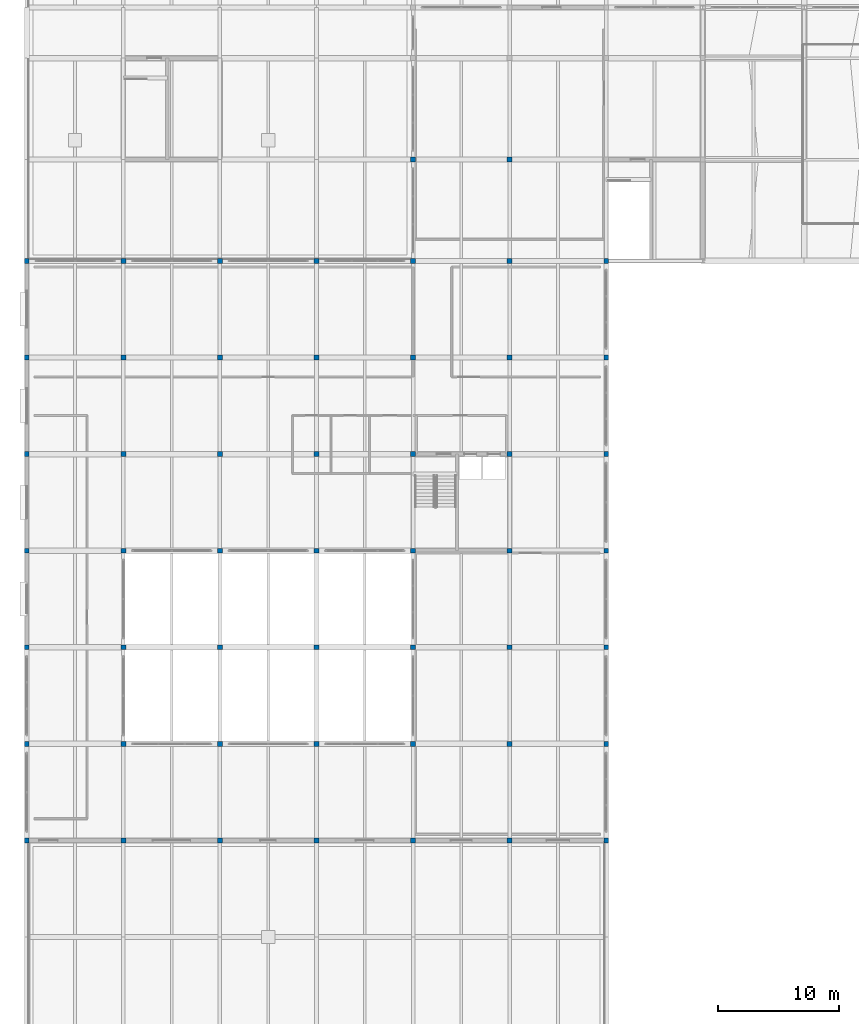
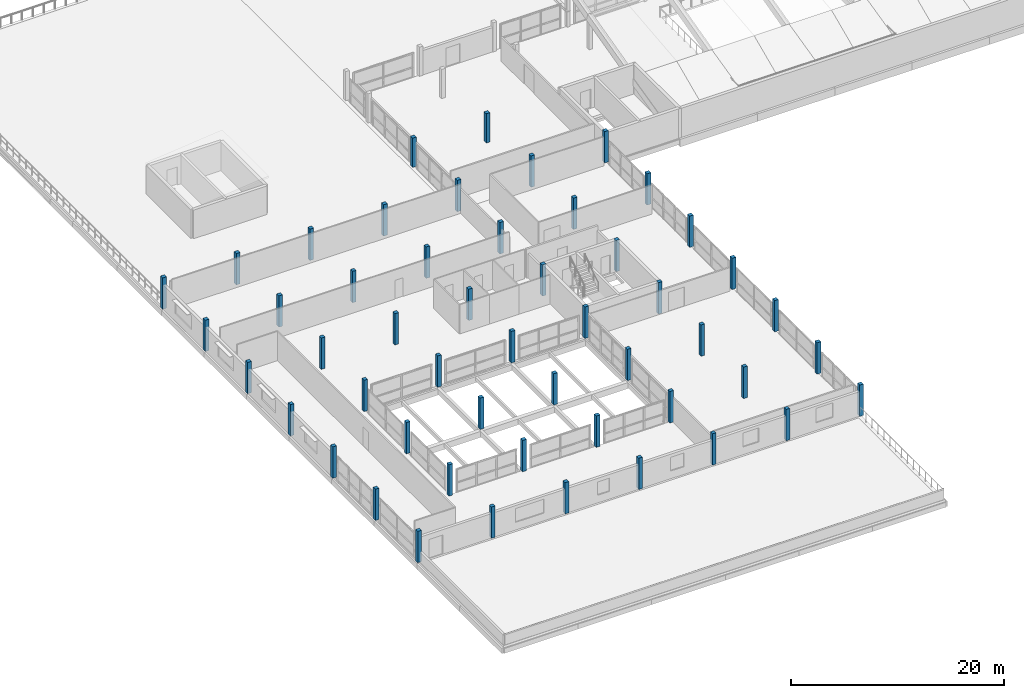
# One storey, part 1 of 51: 51 columns.
"""IFC4 building model written with IfcOpenShell, lengths in metres."""

import ifcopenshell
import ifcopenshell.guid

model = None  # the IFC model being written
_history = None  # IfcOwnerHistory: only IFC2X3 demands one
_inside = {}  # id of a spatial element -> (the spatial element, [elements in it])
_under = {}  # id of a project, library or spatial element -> (it, [spatial elements below it])
_declared = {}  # id of a project -> (the project, [libraries it declares])
_typed = {}  # id of a type object -> (the type object, [elements of that type])
_made_of = {}  # id of a material, layer set ... -> (it, [elements and type objects made of it])


def new_model(schema):
    """Start an empty IFC model of exactly this schema.

    Asked for "IFC4X3", IfcOpenShell would pick the latest addendum, in which some entities
    have other attributes; the version numbers below select the first issue.
    IFC2X3 requires an IfcOwnerHistory on every rooted entity: one is made here for all.
    """
    global model, _history
    if schema == "IFC4X3":
        model = ifcopenshell.file(schema_version=(4, 3, 0, 0))
    else:
        model = ifcopenshell.file(schema=schema)
    _inside.clear()
    _under.clear()
    _declared.clear()
    _typed.clear()
    _made_of.clear()
    _history = None
    if model.schema == "IFC2X3":
        org = make("IfcOrganization", Name="unknown")
        user = make(
            "IfcPersonAndOrganization",
            ThePerson=make("IfcPerson", FamilyName="unknown"),
            TheOrganization=org,
        )
        app = make(
            "IfcApplication",
            ApplicationDeveloper=org,
            Version="unknown",
            ApplicationFullName="unknown",
            ApplicationIdentifier="unknown",
        )
        _history = make(
            "IfcOwnerHistory",
            OwningUser=user,
            OwningApplication=app,
            ChangeAction="ADDED",
            CreationDate=0,
        )
    return model


def make(cls, **values):
    """One entity of the class cls with the attributes given. An attribute that is None is left unset."""
    return model.create_entity(
        cls, **{name: value for name, value in values.items() if value is not None}
    )


def rooted(cls, **values):
    """An entity with a GlobalId (a new one), such as an element, a storey or a relation."""
    return make(cls, GlobalId=ifcopenshell.guid.new(), OwnerHistory=_history, **values)


def si_unit(unit_type, name, prefix=None):
    """IfcSIUnit, for example si_unit("LENGTHUNIT", "METRE", prefix="MILLI")."""
    return make("IfcSIUnit", UnitType=unit_type, Prefix=prefix, Name=name)


def assignment(units):
    """IfcUnitAssignment: the units of a project."""
    return None if units is None else make("IfcUnitAssignment", Units=units)


def point(xyz):
    """IfcCartesianPoint."""
    return None if xyz is None else make("IfcCartesianPoint", Coordinates=xyz)


def direction(xyz):
    """IfcDirection."""
    return None if xyz is None else make("IfcDirection", DirectionRatios=xyz)


def frame(location, z_axis=None, x_axis=None):
    """IfcAxis2Placement3D, a coordinate frame: its origin and axes. An axis left out is left unset."""
    return make(
        "IfcAxis2Placement3D",
        Location=point(location),
        Axis=direction(z_axis),
        RefDirection=direction(x_axis),
    )


def frame_2d(location, x_axis=None):
    """IfcAxis2Placement2D, a coordinate frame in the plane: its origin and x axis."""
    return make(
        "IfcAxis2Placement2D", Location=point(location), RefDirection=direction(x_axis)
    )


def origin():
    """The frame at (0, 0, 0) with its axes left unset."""
    return frame((0.0, 0.0, 0.0))


def origin_2d():
    """The frame at (0, 0) in the plane with its x axis left unset."""
    return frame_2d((0.0, 0.0))


def place(relative_to, where):
    """IfcLocalPlacement: puts the frame where relative to a parent placement (None: the world)."""
    return make(
        "IfcLocalPlacement", PlacementRelTo=relative_to, RelativePlacement=where
    )


def context(
    kind, dimensions, precision=None, world=None, true_north=None, identifier=None
):
    """IfcGeometricRepresentationContext, for example the 3D "Model" context."""
    return make(
        "IfcGeometricRepresentationContext",
        ContextIdentifier=identifier,
        ContextType=kind,
        CoordinateSpaceDimension=dimensions,
        Precision=precision,
        WorldCoordinateSystem=world,
        TrueNorth=true_north,
    )


def subcontext(parent, identifier, kind, view, scale=None):
    """IfcGeometricRepresentationSubContext, for example "Body" below "Model"."""
    return make(
        "IfcGeometricRepresentationSubContext",
        ContextIdentifier=identifier,
        ContextType=kind,
        ParentContext=parent,
        TargetScale=scale,
        TargetView=view,
    )


def project(units=None, contexts=None):
    """IfcProject with its units and contexts."""
    return rooted(
        "IfcProject",
        Name="project",
        RepresentationContexts=contexts,
        UnitsInContext=assignment(units),
    )


def spatial(cls, under=None, at=None, **own):
    """A site, building, storey or space (cls), placed at a placement, below another one or the project."""
    s = rooted(cls, ObjectPlacement=at, **own)
    if under is not None:
        _under.setdefault(under.id(), (under, []))[1].append(s)
    return s


def profile(cls, at=None, kind="AREA", **sizes):
    """A parametric profile (cls). Its sizes go by their IFC names, for example OverallWidth=200.0."""
    return make(cls, ProfileType=kind, Position=at, **sizes)


def rectangle(**sizes):
    """IfcRectangleProfileDef."""
    return profile("IfcRectangleProfileDef", **sizes)


def extrude(swept, where, along, depth):
    """IfcExtrudedAreaSolid: the profile swept, set in the frame where, extruded along a direction by depth."""
    return make(
        "IfcExtrudedAreaSolid",
        SweptArea=swept,
        Position=where,
        ExtrudedDirection=direction(along),
        Depth=depth,
    )


def shape(context_of_items, identifier, shape_type, items):
    """IfcShapeRepresentation: the items that make up one representation, for example the "Body"."""
    return make(
        "IfcShapeRepresentation",
        ContextOfItems=context_of_items,
        RepresentationIdentifier=identifier,
        RepresentationType=shape_type,
        Items=items,
    )


def material(Name=None, Category=None):
    """IfcMaterial."""
    return make("IfcMaterial", Name=Name, Category=Category)


def material_profile(
    of_material, cross_section, Name=None, Category=None, Priority=None
):
    """IfcMaterialProfile: a cross section and its material."""
    return make(
        "IfcMaterialProfile",
        Name=Name,
        Material=of_material,
        Profile=cross_section,
        Priority=Priority,
        Category=Category,
    )


def profile_set(profiles, Name=None, composite=None):
    """IfcMaterialProfileSet."""
    return make(
        "IfcMaterialProfileSet",
        Name=Name,
        MaterialProfiles=profiles,
        CompositeProfile=composite,
    )


def made_of(thing, what):
    """Note that an element or type object is made of a material, layer set ...; save() writes the relation."""
    if what is not None:
        _made_of.setdefault(what.id(), (what, []))[1].append(thing)
    return thing


def type_object(cls, material=None, **own):
    """A type object (cls), such as IfcWallType, which elements share."""
    return made_of(rooted(cls, **own), material)


def element(
    cls,
    number,
    at=None,
    inside=None,
    cuts=None,
    type_object=None,
    material=None,
    context=None,
    identifier="Body",
    shape_type=None,
    held_by="IfcProductDefinitionShape",
    body=None,
    shapes=None,
    **own,
):
    """One element of the class cls, such as IfcWall. Its Tag is "e" and its number.

    at: its placement. inside: the storey or other place that contains it. cuts: it is an
    opening in that element (IfcRelVoidsElement). A single representation is given by context,
    identifier, shape_type and body (its items); several are given by shapes. held_by: the class
    of the entity that holds the representations. save() writes the other relations.
    """
    e = rooted(cls, Tag="e%d" % number, ObjectPlacement=at, **own)
    if body is not None:
        shapes = [shape(context, identifier, shape_type, body)]
    if shapes is not None:
        e.Representation = make(held_by, Representations=shapes)
    if inside is not None:
        _inside.setdefault(inside.id(), (inside, []))[1].append(e)
    if cuts is not None:
        rooted(
            "IfcRelVoidsElement", RelatingBuildingElement=cuts, RelatedOpeningElement=e
        )
    if type_object is not None:
        _typed.setdefault(type_object.id(), (type_object, []))[1].append(e)
    return made_of(e, material)


def aggregate(whole, parts):
    """IfcRelAggregates: a whole, such as a stair, and the parts it consists of."""
    return rooted("IfcRelAggregates", RelatingObject=whole, RelatedObjects=parts)


def save(model, path):
    """Write the relations noted so far, then the file.

    IfcRelAggregates (storeys below a building ...), IfcRelContainedInSpatialStructure (elements
    in a storey), IfcRelDefinesByType, IfcRelAssociatesMaterial and IfcRelDeclares: one each for
    every whole, place, type object, material and project.
    """
    for whole, parts in _under.values():
        aggregate(whole, parts)
    for where, things in _inside.values():
        rooted(
            "IfcRelContainedInSpatialStructure",
            RelatedElements=things,
            RelatingStructure=where,
        )
    for kind, things in _typed.values():
        rooted("IfcRelDefinesByType", RelatedObjects=things, RelatingType=kind)
    for what, things in _made_of.values():
        rooted("IfcRelAssociatesMaterial", RelatedObjects=things, RelatingMaterial=what)
    for by, libraries in _declared.values():
        rooted("IfcRelDeclares", RelatingContext=by, RelatedDefinitions=libraries)
    model.write(path)


model = new_model("IFC4")

# Units and contexts
model_context = context("Model", 3, precision=1e-05, world=origin(), true_north=direction((0.0, 1.0)))
body_context = subcontext(model_context, "Body", "Model", "MODEL_VIEW")
ifc_project = project(units=[si_unit("LENGTHUNIT", "METRE"), si_unit("AREAUNIT", "SQUARE_METRE"), si_unit("VOLUMEUNIT", "CUBIC_METRE"), si_unit("PLANEANGLEUNIT", "RADIAN"), si_unit("MASSUNIT", "GRAM", prefix="KILO")], contexts=[model_context])

# Site, building, storey
site_placement = place(None, origin())
site = spatial("IfcSite", under=ifc_project, at=site_placement, CompositionType="ELEMENT")
building_placement = place(site_placement, origin())
building = spatial("IfcBuilding", under=site, at=building_placement, Name="Vharandega Faculty of Natural Sciences", CompositionType="ELEMENT")
storey_placement = place(building_placement, frame((0.0, 0.0, 18.0)))
storey = spatial("IfcBuildingStorey", under=building, at=storey_placement, Name="L04", CompositionType="ELEMENT", Elevation=18.0)

# Columns
ifc_material = material(Name="Glulam GL32h", Category="wood")
ifc_material_profile = material_profile(ifc_material, rectangle(XDim=0.39990234375, YDim=0.39990234375, at=origin_2d()), Name="GL32h 400x400")
ifc_profile_set = profile_set([ifc_material_profile], Name="Glulam GL32h")
column_type = type_object("IfcColumnType", Name="Glulam Column 400x400", PredefinedType="COLUMN", material=ifc_profile_set)
for number, where, z_axis, x_axis, name in (
    (1, (0.0, 16.0, 0.0), (0.0, 0.0, 1.0), (1.0, 0.0, 0.0), "Column 1/C L04"),
    (2, (0.0, 24.0, 0.0), (0.0, 0.0, 1.0), (1.0, 0.0, 0.0), "Column 1/D L04"),
    (3, (0.0, 32.0, 0.0), (0.0, 0.0, 1.0), (1.0, 0.0, 0.0), "Column 1/E L04"),
    (4, (0.0, 40.0, 0.0), (0.0, 0.0, 1.0), (1.0, 0.0, 0.0), "Column 1/F L04"),
    (5, (0.0, 48.0, 0.0), (0.0, 0.0, 1.0), (1.0, 0.0, 0.0), "Column 1/G L04"),
    (6, (0.0, 56.0, 0.0), (0.0, 0.0, 1.0), (1.0, 0.0, 0.0), "Column 1/H L04"),
    (7, (0.0, 64.0, 0.0), (0.0, 0.0, 1.0), (1.0, 0.0, 0.0), "Column 1/J L04"),
    (8, (8.0, 16.0, 0.0), (0.0, 0.0, 1.0), (1.0, 0.0, 0.0), "Column 2/C L04"),
    (9, (8.0, 24.0, 0.0), (0.0, 0.0, 1.0), (1.0, 0.0, 0.0), "Column 2/D L04"),
    (10, (8.0, 32.0, 0.0), (0.0, 0.0, 1.0), (1.0, 0.0, 0.0), "Column 2/E L04"),
    (11, (8.0, 40.0, 0.0), (0.0, 0.0, 1.0), (1.0, 0.0, 0.0), "Column 2/F L04"),
    (12, (8.0, 48.0, 0.0), (0.0, 0.0, 1.0), (1.0, 0.0, 0.0), "Column 2/G L04"),
    (13, (8.0, 56.0, 0.0), (0.0, 0.0, 1.0), (1.0, 0.0, 0.0), "Column 2/H L04"),
    (14, (8.0, 64.0, 0.0), (0.0, 0.0, 1.0), (1.0, 0.0, 0.0), "Column 2/J L04"),
    (15, (16.0, 16.0, 0.0), (0.0, 0.0, 1.0), (1.0, 0.0, 0.0), "Column 3/C L04"),
    (16, (16.0, 24.0, 0.0), (0.0, 0.0, 1.0), (1.0, 0.0, 0.0), "Column 3/D L04"),
    (17, (16.0, 32.0, 0.0), (0.0, 0.0, 1.0), (1.0, 0.0, 0.0), "Column 3/E L04"),
    (18, (16.0, 40.0, 0.0), (0.0, 0.0, 1.0), (1.0, 0.0, 0.0), "Column 3/F L04"),
    (19, (16.0, 48.0, 0.0), (0.0, 0.0, 1.0), (1.0, 0.0, 0.0), "Column 3/G L04"),
    (20, (16.0, 56.0, 0.0), (0.0, 0.0, 1.0), (1.0, 0.0, 0.0), "Column 3/H L04"),
    (21, (16.0, 64.0, 0.0), (0.0, 0.0, 1.0), (1.0, 0.0, 0.0), "Column 3/J L04"),
    (22, (24.0, 16.0, 0.0), (0.0, 0.0, 1.0), (1.0, 0.0, 0.0), "Column 4/C L04"),
    (23, (24.0, 24.0, 0.0), (0.0, 0.0, 1.0), (1.0, 0.0, 0.0), "Column 4/D L04"),
    (24, (24.0, 32.0, 0.0), (0.0, 0.0, 1.0), (1.0, 0.0, 0.0), "Column 4/E L04"),
    (25, (24.0, 40.0, 0.0), (0.0, 0.0, 1.0), (1.0, 0.0, 0.0), "Column 4/F L04"),
    (26, (24.0, 48.0, 0.0), (0.0, 0.0, 1.0), (1.0, 0.0, 0.0), "Column 4/G L04"),
    (27, (24.0, 56.0, 0.0), (0.0, 0.0, 1.0), (1.0, 0.0, 0.0), "Column 4/H L04"),
    (28, (24.0, 64.0, 0.0), (0.0, 0.0, 1.0), (1.0, 0.0, 0.0), "Column 4/J L04"),
    (29, (32.0, 16.0, 0.0), (0.0, 0.0, 1.0), (1.0, 0.0, 0.0), "Column 5/C L04"),
    (30, (32.0, 24.0, 0.0), (0.0, 0.0, 1.0), (1.0, 0.0, 0.0), "Column 5/D L04"),
    (31, (32.0, 32.0, 0.0), (0.0, 0.0, 1.0), (1.0, 0.0, 0.0), "Column 5/E L04"),
    (32, (32.0, 40.0, 0.0), (0.0, 0.0, 1.0), (1.0, 0.0, 0.0), "Column 5/F L04"),
    (33, (32.0, 48.0, 0.0), (0.0, 0.0, 1.0), (1.0, 0.0, 0.0), "Column 5/G L04"),
    (34, (32.0, 56.0, 0.0), (0.0, 0.0, 1.0), (1.0, 0.0, 0.0), "Column 5/H L04"),
    (35, (32.0, 64.0, 0.0), (0.0, 0.0, 1.0), (1.0, 0.0, 0.0), "Column 5/J L04"),
):
    element("IfcColumn", number, at=place(storey_placement, frame(where, z_axis=z_axis, x_axis=x_axis)), inside=storey, type_object=column_type, Name=name, PredefinedType="COLUMN", context=body_context, shape_type="SweptSolid", body=[
        extrude(rectangle(XDim=0.39990234375, YDim=0.39990234375, at=origin_2d()), origin(), (0.0, 0.0, 1.0), 3.60009765625),
    ])
column_1_placement = place(storey_placement, frame((32.0, 72.39990234375, 0.0), z_axis=(0.0, 0.0, 1.0), x_axis=(1.0, 0.0, 0.0)))
element("IfcColumn", 36, at=column_1_placement, inside=storey, type_object=column_type, Name="Column 5/K L04", PredefinedType="COLUMN", context=body_context, shape_type="SweptSolid", body=[
    extrude(rectangle(XDim=0.39990234375, YDim=0.39990234375, at=origin_2d()), origin(), (0.0, 0.0, 1.0), 3.360107421875),
])
for number, where, z_axis, x_axis, name in (
    (37, (40.0, 16.0, 0.0), (0.0, 0.0, 1.0), (1.0, 0.0, 0.0), "Column 6/C L04"),
    (38, (40.0, 24.0, 0.0), (0.0, 0.0, 1.0), (1.0, 0.0, 0.0), "Column 6/D L04"),
    (39, (40.0, 32.0, 0.0), (0.0, 0.0, 1.0), (1.0, 0.0, 0.0), "Column 6/E L04"),
    (40, (40.0, 40.0, 0.0), (0.0, 0.0, 1.0), (1.0, 0.0, 0.0), "Column 6/F L04"),
    (41, (40.0, 48.0, 0.0), (0.0, 0.0, 1.0), (1.0, 0.0, 0.0), "Column 6/G L04"),
    (42, (40.0, 56.0, 0.0), (0.0, 0.0, 1.0), (1.0, 0.0, 0.0), "Column 6/H L04"),
    (43, (40.0, 64.0, 0.0), (0.0, 0.0, 1.0), (1.0, 0.0, 0.0), "Column 6/J L04"),
):
    element("IfcColumn", number, at=place(storey_placement, frame(where, z_axis=z_axis, x_axis=x_axis)), inside=storey, type_object=column_type, Name=name, PredefinedType="COLUMN", context=body_context, shape_type="SweptSolid", body=[
        extrude(rectangle(XDim=0.39990234375, YDim=0.39990234375, at=origin_2d()), origin(), (0.0, 0.0, 1.0), 3.60009765625),
    ])
column_2_placement = place(storey_placement, frame((40.0, 72.39990234375, 0.0), z_axis=(0.0, 0.0, 1.0), x_axis=(1.0, 0.0, 0.0)))
element("IfcColumn", 44, at=column_2_placement, inside=storey, type_object=column_type, Name="Column 6/K L04", PredefinedType="COLUMN", context=body_context, shape_type="SweptSolid", body=[
    extrude(rectangle(XDim=0.39990234375, YDim=0.39990234375, at=origin_2d()), origin(), (0.0, 0.0, 1.0), 3.360107421875),
])
for number, where, z_axis, x_axis, name in (
    (45, (48.0, 16.0, 0.0), (0.0, 0.0, 1.0), (1.0, 0.0, 0.0), "Column 7/C L04"),
    (46, (48.0, 24.0, 0.0), (0.0, 0.0, 1.0), (1.0, 0.0, 0.0), "Column 7/D L04"),
    (47, (48.0, 32.0, 0.0), (0.0, 0.0, 1.0), (1.0, 0.0, 0.0), "Column 7/E L04"),
    (48, (48.0, 40.0, 0.0), (0.0, 0.0, 1.0), (1.0, 0.0, 0.0), "Column 7/F L04"),
    (49, (48.0, 48.0, 0.0), (0.0, 0.0, 1.0), (1.0, 0.0, 0.0), "Column 7/G L04"),
    (50, (48.0, 56.0, 0.0), (0.0, 0.0, 1.0), (1.0, 0.0, 0.0), "Column 7/H L04"),
    (51, (48.0, 64.0, 0.0), (0.0, 0.0, 1.0), (1.0, 0.0, 0.0), "Column 7/J L04"),
):
    element("IfcColumn", number, at=place(storey_placement, frame(where, z_axis=z_axis, x_axis=x_axis)), inside=storey, type_object=column_type, Name=name, PredefinedType="COLUMN", context=body_context, shape_type="SweptSolid", body=[
        extrude(rectangle(XDim=0.39990234375, YDim=0.39990234375, at=origin_2d()), origin(), (0.0, 0.0, 1.0), 3.60009765625),
    ])

save(model, "model.ifc")
